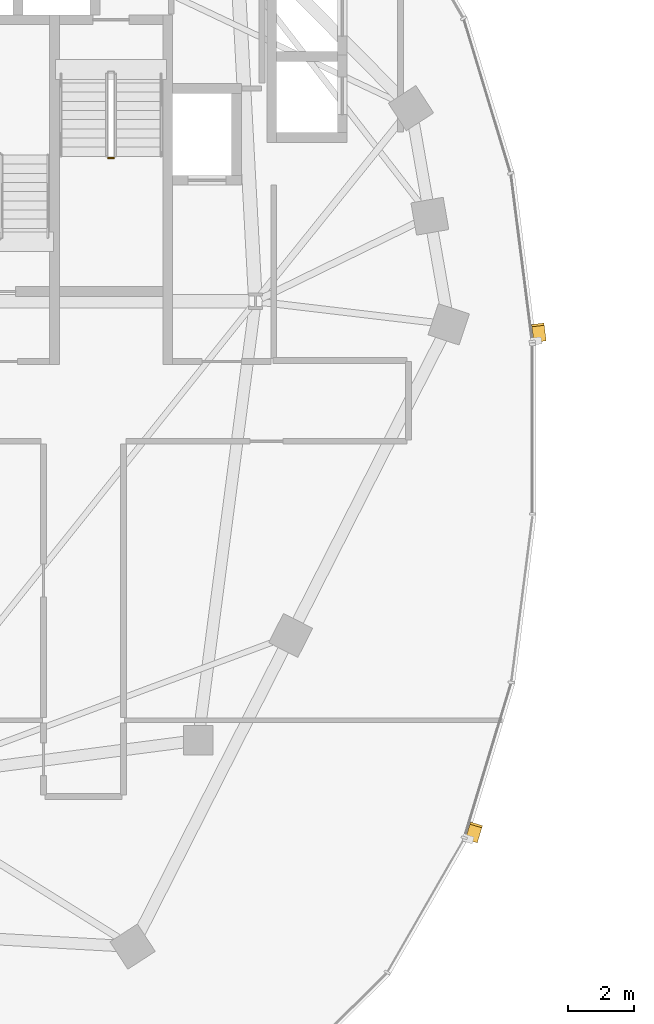
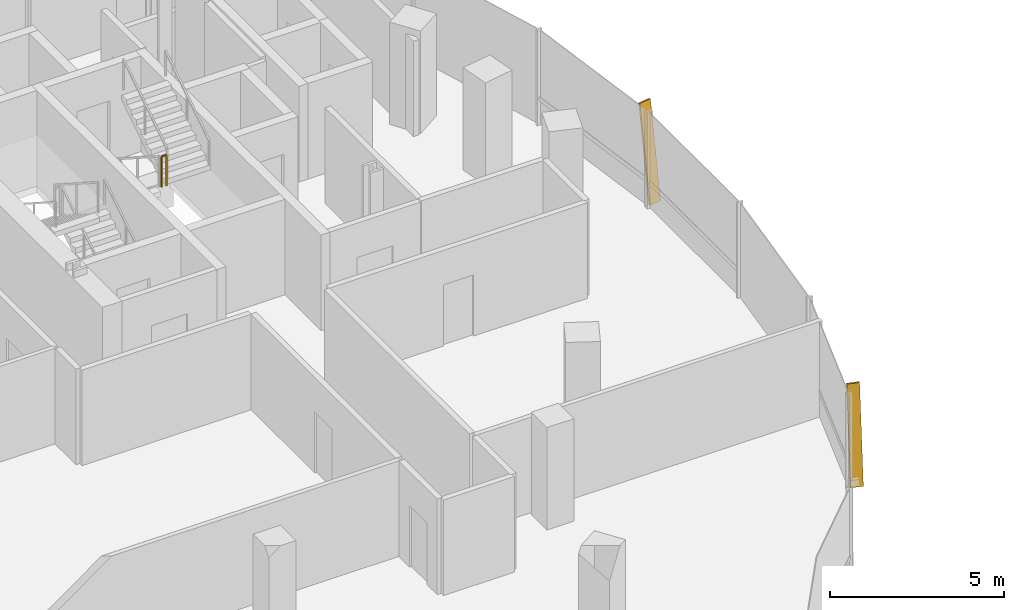
# One storey, part 19 of 22: 2 shading devices, 1 railing.
"""IFC4 building model written with IfcOpenShell, lengths in metres."""

from ifc_helpers import new_model, si_unit, direction, frame, origin, origin_2d, place, context, subcontext, project, spatial, rectangle, extrude, material, material_profile, profile_set, type_object, element, save


model = new_model("IFC4")

# Units and contexts
model_context = context("Model", 3, precision=1e-05, world=origin(), true_north=direction((0.0, 1.0)))
body_context = subcontext(model_context, "Body", "Model", "MODEL_VIEW")
ifc_project = project(units=[si_unit("LENGTHUNIT", "METRE"), si_unit("AREAUNIT", "SQUARE_METRE"), si_unit("VOLUMEUNIT", "CUBIC_METRE"), si_unit("PLANEANGLEUNIT", "RADIAN"), si_unit("MASSUNIT", "GRAM", prefix="KILO"), si_unit("THERMODYNAMICTEMPERATUREUNIT", "KELVIN"), si_unit("POWERUNIT", "WATT")], contexts=[model_context])

# Site, building, storey
site_placement = place(None, origin())
site = spatial("IfcSite", under=ifc_project, at=site_placement, CompositionType="ELEMENT")
building_placement = place(site_placement, origin())
building = spatial("IfcBuilding", under=site, at=building_placement, Name="Cundina Bronze Exchange", CompositionType="ELEMENT")
storey_placement = place(building_placement, frame((0.0, 0.0, 158.39990234375)))
storey = spatial("IfcBuildingStorey", under=building, at=storey_placement, Name="L41", CompositionType="ELEMENT", Elevation=158.39990234375)

# Railing
ifc_material_1 = material(Name="Steel ASTM A36 Painted", Category="steel")
railing_type = type_object("IfcRailingType", Name="RLG-STG-1100", PredefinedType="GUARDRAIL", material=ifc_material_1)
railing_placement = place(storey_placement, frame((-25.93994140625, 8.280029296875, 1.800048828125)))
element("IfcRailing", 1, at=railing_placement, inside=storey, type_object=railing_type, Name="L41 ST-W2 stair guard 2", PredefinedType="GUARDRAIL", context=body_context, shape_type="SweptSolid", body=[
    extrude(rectangle(XDim=0.048095703125, YDim=0.048095703125, at=origin_2d()), frame((0.0, 0.0, 1.076171875), z_axis=(1.0, 0.0, 0.0), x_axis=(0.0, 1.0, 0.0)), (0.0, 0.0, 1.0), 0.159912109375),
    extrude(rectangle(XDim=0.0419921875, YDim=0.0419921875, at=origin_2d()), origin(), (0.0, 0.0, 1.0), 1.052001953125),
    extrude(rectangle(XDim=0.0419921875, YDim=0.0419921875, at=origin_2d()), frame((0.159912109375, 0.0, 0.0)), (0.0, 0.0, 1.0), 1.052001953125),
])

# Shading devices
ifc_material_2 = material(Name="Anodised Bronze Aluminium 6063-T6", Category="aluminium")
ifc_material_profile = material_profile(ifc_material_2, rectangle(XDim=0.070068359375, YDim=0.3798828125, at=origin_2d()), Name="FIN70X380", Category="aluminium")
ifc_profile_set = profile_set([ifc_material_profile], Name="Anodised Bronze Aluminium 6063-T6")
shading_device_type = type_object("IfcShadingDeviceType", Name="SHD-FIN-BRZ380", PredefinedType="USERDEFINED", material=ifc_profile_set)
for number, where, z_axis, x_axis, name in (
    (2, (-12.76513671875, 2.705810546875, 0.02001953125), (-0.018121805099, 0.141917750773, 0.989712560391), (0.125360789044, -0.981741119016, 0.143070080046), "L41 Diagonal Bronze Solar Fin 1"),
    (3, (-14.848876953125, -12.5439453125, 0.02001953125), (0.041483395017, 0.136967981441, 0.989706471636), (-0.286882504107, -0.947215566191, 0.143112193758), "L41 Diagonal Bronze Solar Fin 5"),
):
    element("IfcShadingDevice", number, at=place(storey_placement, frame(where, z_axis=z_axis, x_axis=x_axis)), inside=storey, type_object=shading_device_type, Name=name, ObjectType="FIN", PredefinedType="USERDEFINED", context=body_context, shape_type="SweptSolid", body=[
        extrude(rectangle(XDim=0.070068359375, YDim=0.3798828125, at=origin_2d()), origin(), (0.0, 0.0, 1.0), 3.3544921875),
    ])

save(model, "model.ifc")
